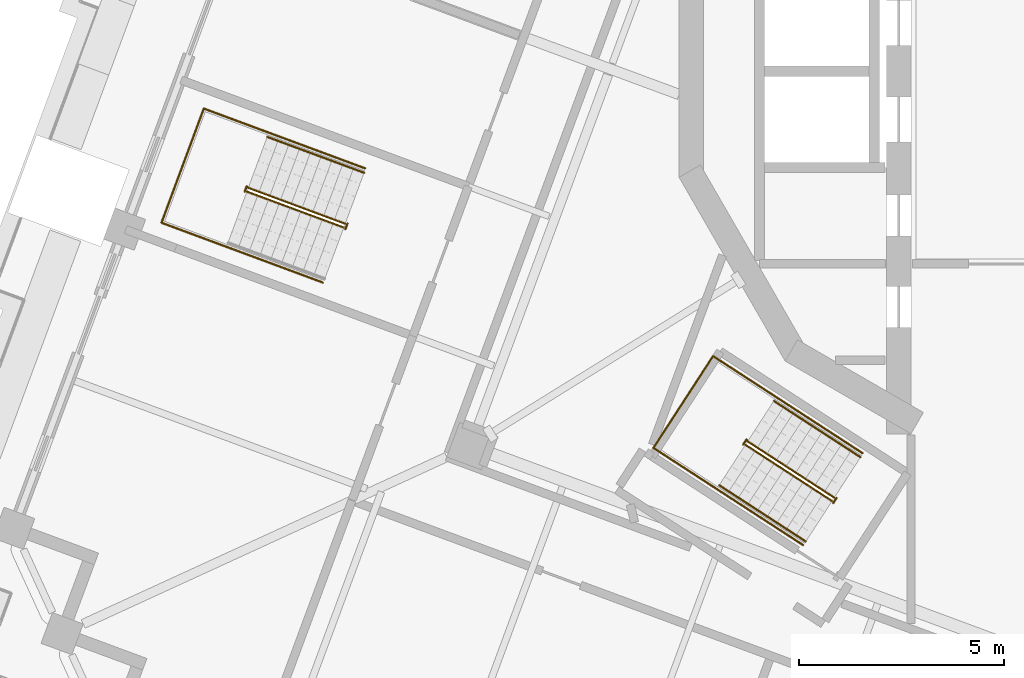
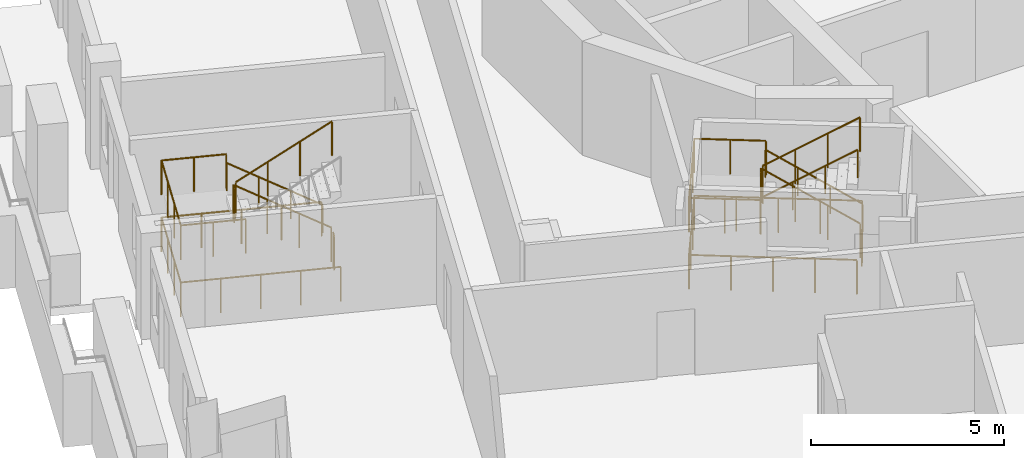
# One storey, part 12 of 18: 13 railings.
"""IFC4 building model written with IfcOpenShell, lengths in metres."""

from ifc_helpers import new_model, si_unit, direction, frame, origin, origin_2d, place, context, subcontext, project, spatial, circle, extrude, material, type_object, element, save


model = new_model("IFC4")

# Units and contexts
model_context = context("Model", 3, precision=1e-05, world=origin(), true_north=direction((0.0, 1.0)))
body_context = subcontext(model_context, "Body", "Model", "MODEL_VIEW")
ifc_project = project(units=[si_unit("LENGTHUNIT", "METRE"), si_unit("AREAUNIT", "SQUARE_METRE"), si_unit("VOLUMEUNIT", "CUBIC_METRE"), si_unit("PLANEANGLEUNIT", "RADIAN"), si_unit("MASSUNIT", "GRAM", prefix="KILO")], contexts=[model_context])

# Site, building, storey
site_placement = place(None, origin())
site = spatial("IfcSite", under=ifc_project, at=site_placement, CompositionType="ELEMENT")
building_placement = place(site_placement, origin())
building = spatial("IfcBuilding", under=site, at=building_placement, Name="Cantera Rosa Tower", CompositionType="ELEMENT")
storey_placement = place(building_placement, frame((0.0, 0.0, 338.5)))
storey = spatial("IfcBuildingStorey", under=building, at=storey_placement, Name="L76", CompositionType="ELEMENT", Elevation=338.5)

# Railings
ifc_material_1 = material(Name="Steel S355J2 (EN 10025-2)", Category="steel")
railing_type_1 = type_object("IfcRailingType", Name="STAIR GUARD 1100", PredefinedType="GUARDRAIL", material=ifc_material_1)
railing_1_placement = place(storey_placement, frame((-17.802490234375, -3.721923828125, 0.179931640625)))
element("IfcRailing", 1, at=railing_1_placement, inside=storey, type_object=railing_type_1, Name="L76 ST-63 stair guard 1", PredefinedType="GUARDRAIL", context=body_context, shape_type="SweptSolid", body=[
    extrude(circle(Radius=0.02392578125, at=origin_2d()), frame((0.0, 0.0, 1.076171875), z_axis=(-0.788747577403, 0.292306804437, 0.540771662738), x_axis=(-0.347500508527, -0.937679794265, 0.0)), (0.0, 0.0, 1.0), 2.995849609375),
    extrude(circle(Radius=0.02392578125, at=origin_2d()), frame((-2.363037109375, 0.875732421875, 2.6962890625), z_axis=(-0.671593765389, 0.740919573429, 0.0), x_axis=(-0.740919573429, -0.671593765389, 0.0)), (0.0, 0.0, 1.0), 0.056396484375),
    extrude(circle(Radius=0.02392578125, at=origin_2d()), frame((-2.40087890625, 0.91748046875, 2.6962890625), z_axis=(-0.348268249601, -0.937394914814, 0.0), x_axis=(0.937394914814, -0.348268249601, 0.0)), (0.0, 0.0, 1.0), 0.14990234375),
    extrude(circle(Radius=0.02099609375, at=origin_2d()), origin(), (0.0, 0.0, 1.0), 1.052001953125),
    extrude(circle(Radius=0.02099609375, at=origin_2d()), frame((-0.78759765625, 0.2919921875, 0.5400390625)), (0.0, 0.0, 1.0), 1.052001953125),
    extrude(circle(Radius=0.02099609375, at=origin_2d()), frame((-1.575439453125, 0.583740234375, 1.080078125)), (0.0, 0.0, 1.0), 1.052001953125),
    extrude(circle(Radius=0.02099609375, at=origin_2d()), frame((-2.363037109375, 0.875732421875, 1.6201171875)), (0.0, 0.0, 1.0), 1.052001953125),
    extrude(circle(Radius=0.02099609375, at=origin_2d()), frame((-2.40087890625, 0.91748046875, 1.6201171875)), (0.0, 0.0, 1.0), 1.052001953125),
    extrude(circle(Radius=0.02099609375, at=origin_2d()), frame((-2.453125, 0.77685546875, 1.6201171875)), (0.0, 0.0, 1.0), 1.052001953125),
])
railing_2_placement = place(storey_placement, frame((-20.19970703125, -2.93798828125, 1.97998046875)))
element("IfcRailing", 2, at=railing_2_placement, inside=storey, type_object=railing_type_1, Name="L76 ST-63 stair guard 2", PredefinedType="GUARDRAIL", context=body_context, shape_type="SweptSolid", body=[
    extrude(circle(Radius=0.02392578125, at=origin_2d()), frame((0.0, 0.0, 1.076171875), z_axis=(0.788747577403, -0.292306804437, 0.540771662738), x_axis=(0.347500508527, 0.937679794265, 0.0)), (0.0, 0.0, 1.0), 2.995849609375),
    extrude(circle(Radius=0.02099609375, at=origin_2d()), origin(), (0.0, 0.0, 1.0), 1.052001953125),
    extrude(circle(Radius=0.02099609375, at=origin_2d()), frame((0.78759765625, -0.2919921875, 0.5400390625)), (0.0, 0.0, 1.0), 1.052001953125),
    extrude(circle(Radius=0.02099609375, at=origin_2d()), frame((1.575439453125, -0.583740234375, 1.080078125)), (0.0, 0.0, 1.0), 1.052001953125),
    extrude(circle(Radius=0.02099609375, at=origin_2d()), frame((2.363037109375, -0.875732421875, 1.6201171875)), (0.0, 0.0, 1.0), 1.052001953125),
])
railing_3_placement = place(storey_placement, frame((-17.74658203125, -3.71484375, 0.0)))
element("IfcRailing", 3, at=railing_3_placement, inside=storey, type_object=railing_type_1, Name="L76 ST-63 stair guard 3", PredefinedType="GUARDRAIL", context=body_context, shape_type="SweptSolid", body=[
    extrude(circle(Radius=0.02392578125, at=origin_2d()), frame((0.0, 0.0, 1.076171875), z_axis=(-0.348268249601, -0.937394914814, 0.0), x_axis=(0.937394914814, -0.348268249601, 0.0)), (0.0, 0.0, 1.0), 0.14990234375),
    extrude(circle(Radius=0.02099609375, at=origin_2d()), origin(), (0.0, 0.0, 1.0), 1.052001953125),
    extrude(circle(Radius=0.02099609375, at=origin_2d()), frame((-0.05224609375, -0.140625, 0.0)), (0.0, 0.0, 1.0), 1.052001953125),
])
railing_4_placement = place(storey_placement, frame((-17.31494140625, -2.37109375, 0.0)))
element("IfcRailing", 4, at=railing_4_placement, inside=storey, type_object=railing_type_1, Name="L76 ST-63 stair guard 4", PredefinedType="GUARDRAIL", context=body_context, shape_type="SweptSolid", body=[
    extrude(circle(Radius=0.02392578125, at=origin_2d()), frame((0.0, 0.0, 1.076171875), z_axis=(-0.937682096729, 0.3474942956, 0.0), x_axis=(-0.3474942956, -0.937682096729, 0.0)), (0.0, 0.0, 1.0), 4.197998046875),
    extrude(circle(Radius=0.02392578125, at=origin_2d()), frame((-3.936279296875, 1.458740234375, 1.076171875), z_axis=(-0.347472311651, -0.937690243436, 0.0), x_axis=(0.937690243436, -0.347472311651, 0.0)), (0.0, 0.0, 1.0), 2.969970703125),
    extrude(circle(Radius=0.02392578125, at=origin_2d()), frame((-4.96826171875, -1.326171875, 1.076171875), z_axis=(0.937682096729, -0.3474942956, 0.0), x_axis=(0.3474942956, 0.937682096729, 0.0)), (0.0, 0.0, 1.0), 4.197998046875),
    extrude(circle(Radius=0.02099609375, at=origin_2d()), origin(), (0.0, 0.0, 1.0), 1.052001953125),
    extrude(circle(Radius=0.02099609375, at=origin_2d()), frame((-0.984130859375, 0.36474609375, 0.0)), (0.0, 0.0, 1.0), 1.052001953125),
    extrude(circle(Radius=0.02099609375, at=origin_2d()), frame((-1.96826171875, 0.7294921875, 0.0)), (0.0, 0.0, 1.0), 1.052001953125),
    extrude(circle(Radius=0.02099609375, at=origin_2d()), frame((-2.9521484375, 1.093994140625, 0.0)), (0.0, 0.0, 1.0), 1.052001953125),
    extrude(circle(Radius=0.02099609375, at=origin_2d()), frame((-3.936279296875, 1.458740234375, 0.0)), (0.0, 0.0, 1.0), 1.052001953125),
    extrude(circle(Radius=0.02099609375, at=origin_2d()), frame((-4.2802734375, 0.530517578125, 0.0)), (0.0, 0.0, 1.0), 1.052001953125),
    extrude(circle(Radius=0.02099609375, at=origin_2d()), frame((-4.624267578125, -0.39794921875, 0.0)), (0.0, 0.0, 1.0), 1.052001953125),
    extrude(circle(Radius=0.02099609375, at=origin_2d()), frame((-4.96826171875, -1.326171875, 0.0)), (0.0, 0.0, 1.0), 1.052001953125),
    extrude(circle(Radius=0.02099609375, at=origin_2d()), frame((-3.984130859375, -1.69091796875, 0.0)), (0.0, 0.0, 1.0), 1.052001953125),
    extrude(circle(Radius=0.02099609375, at=origin_2d()), frame((-3.0, -2.0556640625, 0.0)), (0.0, 0.0, 1.0), 1.052001953125),
    extrude(circle(Radius=0.02099609375, at=origin_2d()), frame((-2.01611328125, -2.420166015625, 0.0)), (0.0, 0.0, 1.0), 1.052001953125),
    extrude(circle(Radius=0.02099609375, at=origin_2d()), frame((-1.031982421875, -2.784912109375, 0.0)), (0.0, 0.0, 1.0), 1.052001953125),
])
railing_5_placement = place(storey_placement, frame((-19.6552734375, -1.50390625, 1.800048828125)))
element("IfcRailing", 5, at=railing_5_placement, inside=storey, type_object=railing_type_1, Name="L76 ST-63 stair guard 5", PredefinedType="GUARDRAIL", context=body_context, shape_type="SweptSolid", body=[
    extrude(circle(Radius=0.02392578125, at=origin_2d()), frame((0.0, 0.0, 1.076171875), z_axis=(-0.937660486946, 0.347552602091, 0.0), x_axis=(-0.347552602091, -0.937660486946, 0.0)), (0.0, 0.0, 1.0), 1.7021484375),
    extrude(circle(Radius=0.02392578125, at=origin_2d()), frame((-1.595947265625, 0.591552734375, 1.076171875), z_axis=(-0.347472311651, -0.937690243436, 0.0), x_axis=(0.937690243436, -0.347472311651, 0.0)), (0.0, 0.0, 1.0), 2.969970703125),
    extrude(circle(Radius=0.02392578125, at=origin_2d()), frame((-2.6279296875, -2.193359375, 1.076171875), z_axis=(0.937660486946, -0.347552602091, 0.0), x_axis=(0.347552602091, 0.937660486946, 0.0)), (0.0, 0.0, 1.0), 1.7021484375),
    extrude(circle(Radius=0.02099609375, at=origin_2d()), origin(), (0.0, 0.0, 1.0), 1.052001953125),
    extrude(circle(Radius=0.02099609375, at=origin_2d()), frame((-0.7978515625, 0.2958984375, 0.0)), (0.0, 0.0, 1.0), 1.052001953125),
    extrude(circle(Radius=0.02099609375, at=origin_2d()), frame((-1.595947265625, 0.591552734375, 0.0)), (0.0, 0.0, 1.0), 1.052001953125),
    extrude(circle(Radius=0.02099609375, at=origin_2d()), frame((-1.93994140625, -0.336669921875, 0.0)), (0.0, 0.0, 1.0), 1.052001953125),
    extrude(circle(Radius=0.02099609375, at=origin_2d()), frame((-2.283935546875, -1.26513671875, 0.0)), (0.0, 0.0, 1.0), 1.052001953125),
    extrude(circle(Radius=0.02099609375, at=origin_2d()), frame((-2.6279296875, -2.193359375, 0.0)), (0.0, 0.0, 1.0), 1.052001953125),
    extrude(circle(Radius=0.02099609375, at=origin_2d()), frame((-1.830078125, -2.4892578125, 0.0)), (0.0, 0.0, 1.0), 1.052001953125),
    extrude(circle(Radius=0.02099609375, at=origin_2d()), frame((-1.031982421875, -2.784912109375, 0.0)), (0.0, 0.0, 1.0), 1.052001953125),
])
railing_6_placement = place(storey_placement, frame((-5.873291015625, -10.403076171875, 0.179931640625)))
element("IfcRailing", 6, at=railing_6_placement, inside=storey, type_object=railing_type_1, Name="L76 ST-64 stair guard 1", PredefinedType="GUARDRAIL", context=body_context, shape_type="SweptSolid", body=[
    extrude(circle(Radius=0.02392578125, at=origin_2d()), frame((0.0, 0.0, 1.076171875), z_axis=(-0.705462015847, 0.458138784, 0.540770005448), x_axis=(-0.544644381691, -0.838667095749, 0.0)), (0.0, 0.0, 1.0), 2.995849609375),
    extrude(circle(Radius=0.02392578125, at=origin_2d()), frame((-2.113525390625, 1.37255859375, 2.6962890625), z_axis=(-0.49520304401, 0.868777270193, 0.0), x_axis=(-0.868777270193, -0.49520304401, 0.0)), (0.0, 0.0, 1.0), 0.05615234375),
    extrude(circle(Radius=0.02392578125, at=origin_2d()), frame((-2.141357421875, 1.42138671875, 2.6962890625), z_axis=(-0.544129121324, -0.839001489467, 0.0), x_axis=(0.839001489467, -0.544129121324, 0.0)), (0.0, 0.0, 1.0), 0.14990234375),
    extrude(circle(Radius=0.02099609375, at=origin_2d()), origin(), (0.0, 0.0, 1.0), 1.052001953125),
    extrude(circle(Radius=0.02099609375, at=origin_2d()), frame((-0.70458984375, 0.45751953125, 0.5400390625)), (0.0, 0.0, 1.0), 1.052001953125),
    extrude(circle(Radius=0.02099609375, at=origin_2d()), frame((-1.408935546875, 0.9150390625, 1.080078125)), (0.0, 0.0, 1.0), 1.052001953125),
    extrude(circle(Radius=0.02099609375, at=origin_2d()), frame((-2.113525390625, 1.37255859375, 1.6201171875)), (0.0, 0.0, 1.0), 1.052001953125),
    extrude(circle(Radius=0.02099609375, at=origin_2d()), frame((-2.141357421875, 1.42138671875, 1.6201171875)), (0.0, 0.0, 1.0), 1.052001953125),
    extrude(circle(Radius=0.02099609375, at=origin_2d()), frame((-2.222900390625, 1.295654296875, 1.6201171875)), (0.0, 0.0, 1.0), 1.052001953125),
])
railing_7_placement = place(storey_placement, frame((-8.040283203125, -9.11279296875, 1.97998046875)))
element("IfcRailing", 7, at=railing_7_placement, inside=storey, type_object=railing_type_1, Name="L76 ST-64 stair guard 2", PredefinedType="GUARDRAIL", context=body_context, shape_type="SweptSolid", body=[
    extrude(circle(Radius=0.02392578125, at=origin_2d()), frame((0.0, 0.0, 1.076171875), z_axis=(0.705462015847, -0.458138784, 0.540770005448), x_axis=(0.544644381691, 0.838667095749, 0.0)), (0.0, 0.0, 1.0), 2.995849609375),
    extrude(circle(Radius=0.02099609375, at=origin_2d()), origin(), (0.0, 0.0, 1.0), 1.052001953125),
    extrude(circle(Radius=0.02099609375, at=origin_2d()), frame((0.70458984375, -0.45751953125, 0.5400390625)), (0.0, 0.0, 1.0), 1.052001953125),
    extrude(circle(Radius=0.02099609375, at=origin_2d()), frame((1.408935546875, -0.9150390625, 1.080078125)), (0.0, 0.0, 1.0), 1.052001953125),
    extrude(circle(Radius=0.02099609375, at=origin_2d()), frame((2.113525390625, -1.37255859375, 1.6201171875)), (0.0, 0.0, 1.0), 1.052001953125),
])
railing_8_placement = place(storey_placement, frame((-5.8173828125, -10.408447265625, 0.0)))
element("IfcRailing", 8, at=railing_8_placement, inside=storey, type_object=railing_type_1, Name="L76 ST-64 stair guard 3", PredefinedType="GUARDRAIL", context=body_context, shape_type="SweptSolid", body=[
    extrude(circle(Radius=0.02392578125, at=origin_2d()), frame((0.0, 0.0, 1.076171875), z_axis=(-0.543386185195, -0.839482848984, 0.0), x_axis=(0.839482848984, -0.543386185195, 0.0)), (0.0, 0.0, 1.0), 0.150146484375),
    extrude(circle(Radius=0.02099609375, at=origin_2d()), origin(), (0.0, 0.0, 1.0), 1.052001953125),
    extrude(circle(Radius=0.02099609375, at=origin_2d()), frame((-0.08154296875, -0.1259765625, 0.0)), (0.0, 0.0, 1.0), 1.052001953125),
])
railing_9_placement = place(storey_placement, frame((-5.18310546875, -9.318115234375, 0.0)))
element("IfcRailing", 9, at=railing_9_placement, inside=storey, type_object=railing_type_1, Name="L76 ST-64 stair guard 4", PredefinedType="GUARDRAIL", context=body_context, shape_type="SweptSolid", body=[
    extrude(circle(Radius=0.02392578125, at=origin_2d()), frame((0.0, 0.0, 1.076171875), z_axis=(-0.838659072691, 0.544656735746, 0.0), x_axis=(-0.544656735746, -0.838659072691, 0.0)), (0.0, 0.0, 1.0), 4.347900390625),
    extrude(circle(Radius=0.02392578125, at=origin_2d()), frame((-3.646484375, 2.3681640625, 1.076171875), z_axis=(-0.544615466587, -0.838685872991, 0.0), x_axis=(0.838685872991, -0.544615466587, 0.0)), (0.0, 0.0, 1.0), 2.669921875),
    extrude(circle(Radius=0.02392578125, at=origin_2d()), frame((-5.1005859375, 0.12890625, 1.076171875), z_axis=(0.838659072691, -0.544656735746, 0.0), x_axis=(0.544656735746, 0.838659072691, 0.0)), (0.0, 0.0, 1.0), 4.347900390625),
    extrude(circle(Radius=0.02099609375, at=origin_2d()), origin(), (0.0, 0.0, 1.0), 1.052001953125),
    extrude(circle(Radius=0.02099609375, at=origin_2d()), frame((-0.91162109375, 0.592041015625, 0.0)), (0.0, 0.0, 1.0), 1.052001953125),
    extrude(circle(Radius=0.02099609375, at=origin_2d()), frame((-1.8232421875, 1.18408203125, 0.0)), (0.0, 0.0, 1.0), 1.052001953125),
    extrude(circle(Radius=0.02099609375, at=origin_2d()), frame((-2.73486328125, 1.776123046875, 0.0)), (0.0, 0.0, 1.0), 1.052001953125),
    extrude(circle(Radius=0.02099609375, at=origin_2d()), frame((-3.646484375, 2.3681640625, 0.0)), (0.0, 0.0, 1.0), 1.052001953125),
    extrude(circle(Radius=0.02099609375, at=origin_2d()), frame((-4.131103515625, 1.621826171875, 0.0)), (0.0, 0.0, 1.0), 1.052001953125),
    extrude(circle(Radius=0.02099609375, at=origin_2d()), frame((-4.615966796875, 0.875244140625, 0.0)), (0.0, 0.0, 1.0), 1.052001953125),
    extrude(circle(Radius=0.02099609375, at=origin_2d()), frame((-5.1005859375, 0.12890625, 0.0)), (0.0, 0.0, 1.0), 1.052001953125),
    extrude(circle(Radius=0.02099609375, at=origin_2d()), frame((-4.18896484375, -0.463134765625, 0.0)), (0.0, 0.0, 1.0), 1.052001953125),
    extrude(circle(Radius=0.02099609375, at=origin_2d()), frame((-3.27734375, -1.05517578125, 0.0)), (0.0, 0.0, 1.0), 1.052001953125),
    extrude(circle(Radius=0.02099609375, at=origin_2d()), frame((-2.36572265625, -1.647216796875, 0.0)), (0.0, 0.0, 1.0), 1.052001953125),
    extrude(circle(Radius=0.02099609375, at=origin_2d()), frame((-1.4541015625, -2.2392578125, 0.0)), (0.0, 0.0, 1.0), 1.052001953125),
])
railing_10_placement = place(storey_placement, frame((-7.2763671875, -7.95849609375, 1.800048828125)))
element("IfcRailing", 10, at=railing_10_placement, inside=storey, type_object=railing_type_1, Name="L76 ST-64 stair guard 5", PredefinedType="GUARDRAIL", context=body_context, shape_type="SweptSolid", body=[
    extrude(circle(Radius=0.02392578125, at=origin_2d()), frame((0.0, 0.0, 1.076171875), z_axis=(-0.838702547883, 0.544589787064, 0.0), x_axis=(-0.544589787064, -0.838702547883, 0.0)), (0.0, 0.0, 1.0), 1.85205078125),
    extrude(circle(Radius=0.02392578125, at=origin_2d()), frame((-1.55322265625, 1.008544921875, 1.076171875), z_axis=(-0.544615466587, -0.838685872991, 0.0), x_axis=(0.838685872991, -0.544615466587, 0.0)), (0.0, 0.0, 1.0), 2.669921875),
    extrude(circle(Radius=0.02392578125, at=origin_2d()), frame((-3.00732421875, -1.230712890625, 1.076171875), z_axis=(0.838702547883, -0.544589787064, 0.0), x_axis=(0.544589787064, 0.838702547883, 0.0)), (0.0, 0.0, 1.0), 1.85205078125),
    extrude(circle(Radius=0.02099609375, at=origin_2d()), origin(), (0.0, 0.0, 1.0), 1.052001953125),
    extrude(circle(Radius=0.02099609375, at=origin_2d()), frame((-0.776611328125, 0.50439453125, 0.0)), (0.0, 0.0, 1.0), 1.052001953125),
    extrude(circle(Radius=0.02099609375, at=origin_2d()), frame((-1.55322265625, 1.008544921875, 0.0)), (0.0, 0.0, 1.0), 1.052001953125),
    extrude(circle(Radius=0.02099609375, at=origin_2d()), frame((-2.037841796875, 0.26220703125, 0.0)), (0.0, 0.0, 1.0), 1.052001953125),
    extrude(circle(Radius=0.02099609375, at=origin_2d()), frame((-2.522705078125, -0.484375, 0.0)), (0.0, 0.0, 1.0), 1.052001953125),
    extrude(circle(Radius=0.02099609375, at=origin_2d()), frame((-3.00732421875, -1.230712890625, 0.0)), (0.0, 0.0, 1.0), 1.052001953125),
    extrude(circle(Radius=0.02099609375, at=origin_2d()), frame((-2.230712890625, -1.73486328125, 0.0)), (0.0, 0.0, 1.0), 1.052001953125),
    extrude(circle(Radius=0.02099609375, at=origin_2d()), frame((-1.4541015625, -2.2392578125, 0.0)), (0.0, 0.0, 1.0), 1.052001953125),
])
ifc_material_2 = material(Name="Steel S355J2 (EN 10025-2)", Category="steel")
railing_type_2 = type_object("IfcRailingType", Name="STAIR HANDRAIL 900", PredefinedType="HANDRAIL", material=ifc_material_2)
railing_11_placement = place(storey_placement, frame((-17.341796875, -2.478515625, 0.179931640625)))
element("IfcRailing", 11, at=railing_11_placement, inside=storey, type_object=railing_type_2, Name="L76 ST-63 stair handrail 1", PredefinedType="HANDRAIL", context=body_context, shape_type="SweptSolid", body=[
    extrude(circle(Radius=0.02392578125, at=origin_2d()), frame((0.0, 0.0, 0.8759765625), z_axis=(-0.788747577403, 0.292306804437, 0.540771662738), x_axis=(-0.347500508527, -0.937679794265, 0.0)), (0.0, 0.0, 1.0), 2.995849609375),
    extrude(circle(Radius=0.02099609375, at=origin_2d()), origin(), (0.0, 0.0, 1.0), 0.851806640625),
    extrude(circle(Radius=0.02099609375, at=origin_2d()), frame((-0.78759765625, 0.2919921875, 0.5400390625)), (0.0, 0.0, 1.0), 0.851806640625),
    extrude(circle(Radius=0.02099609375, at=origin_2d()), frame((-1.575439453125, 0.583740234375, 1.080078125)), (0.0, 0.0, 1.0), 0.851806640625),
    extrude(circle(Radius=0.02099609375, at=origin_2d()), frame((-2.363037109375, 0.875732421875, 1.6201171875)), (0.0, 0.0, 1.0), 0.851806640625),
])
railing_12_placement = place(storey_placement, frame((-5.23291015625, -9.416748046875, 0.179931640625)))
element("IfcRailing", 12, at=railing_12_placement, inside=storey, type_object=railing_type_2, Name="L76 ST-64 stair handrail 1", PredefinedType="HANDRAIL", context=body_context, shape_type="SweptSolid", body=[
    extrude(circle(Radius=0.02392578125, at=origin_2d()), frame((0.0, 0.0, 0.8759765625), z_axis=(-0.705488352623, 0.458074394142, 0.540790193832), x_axis=(-0.544576236413, -0.838711346492, 0.0)), (0.0, 0.0, 1.0), 2.995849609375),
    extrude(circle(Radius=0.02099609375, at=origin_2d()), origin(), (0.0, 0.0, 1.0), 0.851806640625),
    extrude(circle(Radius=0.02099609375, at=origin_2d()), frame((-0.70458984375, 0.45751953125, 0.5400390625)), (0.0, 0.0, 1.0), 0.851806640625),
    extrude(circle(Radius=0.02099609375, at=origin_2d()), frame((-1.408935546875, 0.914794921875, 1.080078125)), (0.0, 0.0, 1.0), 0.851806640625),
    extrude(circle(Radius=0.02099609375, at=origin_2d()), frame((-2.113525390625, 1.372314453125, 1.6201171875)), (0.0, 0.0, 1.0), 0.851806640625),
])
railing_13_placement = place(storey_placement, frame((-8.6806640625, -10.09912109375, 1.97998046875)))
element("IfcRailing", 13, at=railing_13_placement, inside=storey, type_object=railing_type_2, Name="L76 ST-64 stair handrail 2", PredefinedType="HANDRAIL", context=body_context, shape_type="SweptSolid", body=[
    extrude(circle(Radius=0.02392578125, at=origin_2d()), frame((0.0, 0.0, 0.8759765625), z_axis=(0.705462015847, -0.458138784, 0.540770005448), x_axis=(0.544644381691, 0.838667095749, 0.0)), (0.0, 0.0, 1.0), 2.995849609375),
    extrude(circle(Radius=0.02099609375, at=origin_2d()), origin(), (0.0, 0.0, 1.0), 0.851806640625),
    extrude(circle(Radius=0.02099609375, at=origin_2d()), frame((0.70458984375, -0.45751953125, 0.5400390625)), (0.0, 0.0, 1.0), 0.851806640625),
    extrude(circle(Radius=0.02099609375, at=origin_2d()), frame((1.408935546875, -0.9150390625, 1.080078125)), (0.0, 0.0, 1.0), 0.851806640625),
    extrude(circle(Radius=0.02099609375, at=origin_2d()), frame((2.113525390625, -1.37255859375, 1.6201171875)), (0.0, 0.0, 1.0), 0.851806640625),
])

save(model, "model.ifc")
